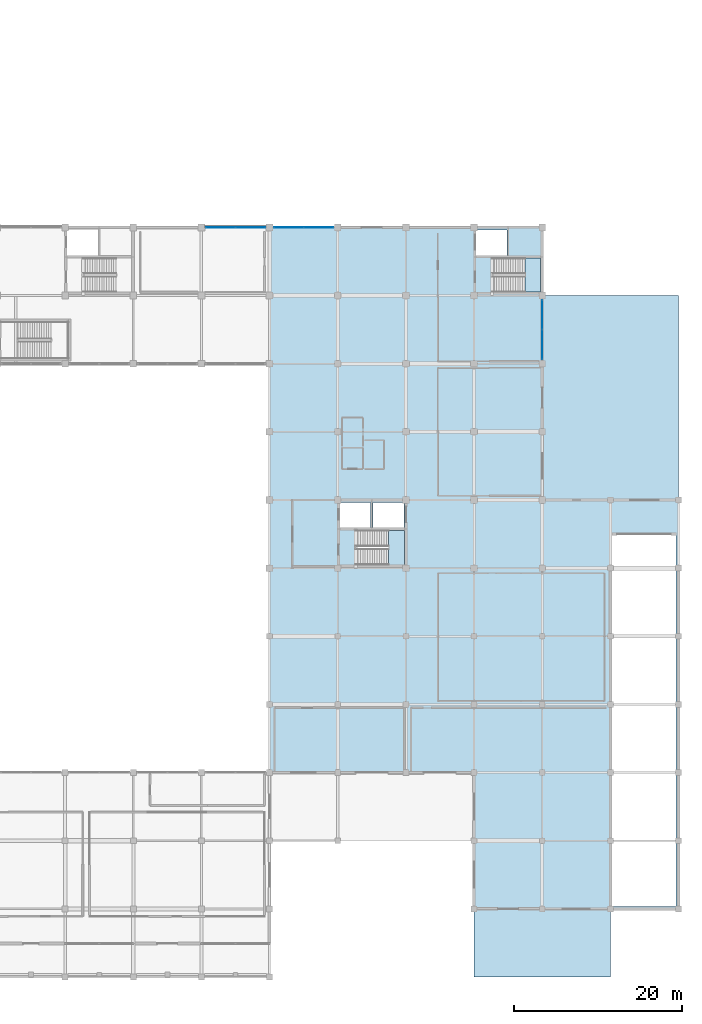
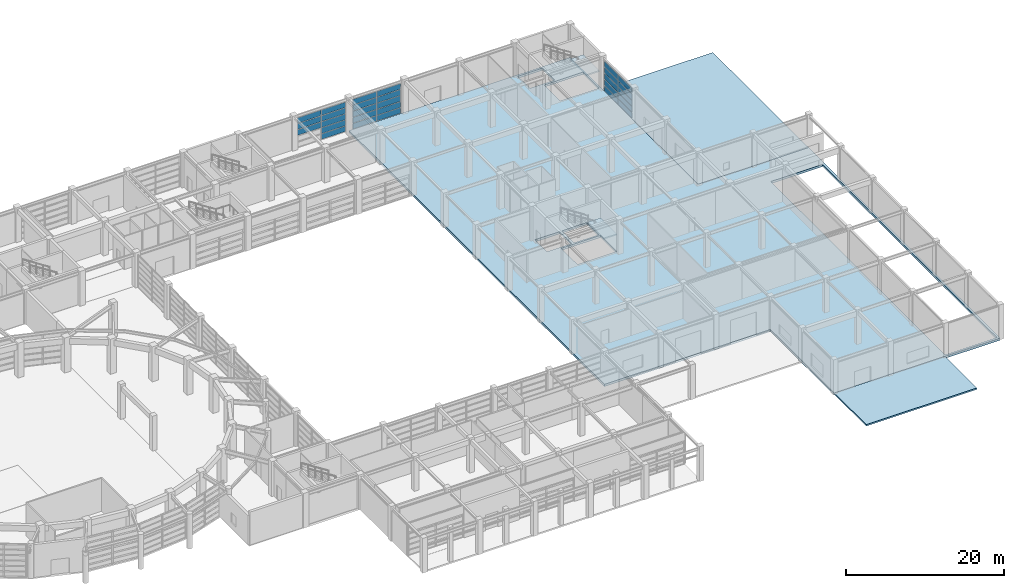
# One storey, part 34 of 52: 28 plates, 5 slabs, 5 elements without a shape of their own.
"""IFC4 building model written with IfcOpenShell, lengths in metres."""

from ifc_helpers import new_model, si_unit, direction, frame, origin, origin_2d, place, context, subcontext, project, spatial, polyline, rectangle, outline, extrude, material, layer, layer_set, type_object, element, aggregate, save


model = new_model("IFC4")

# Units and contexts
model_context = context("Model", 3, precision=1e-05, world=origin(), true_north=direction((0.0, 1.0)))
body_context = subcontext(model_context, "Body", "Model", "MODEL_VIEW")
ifc_project = project(units=[si_unit("LENGTHUNIT", "METRE"), si_unit("AREAUNIT", "SQUARE_METRE"), si_unit("VOLUMEUNIT", "CUBIC_METRE"), si_unit("PLANEANGLEUNIT", "RADIAN"), si_unit("MASSUNIT", "GRAM", prefix="KILO")], contexts=[model_context])

# Site, building, storey
site_placement = place(None, origin())
site = spatial("IfcSite", under=ifc_project, at=site_placement, CompositionType="ELEMENT")
building_placement = place(site_placement, origin())
building = spatial("IfcBuilding", under=site, at=building_placement, Name="Parian Resonance Hall", CompositionType="ELEMENT")
storey_placement = place(building_placement, origin())
storey = spatial("IfcBuildingStorey", under=building, at=storey_placement, Name="L00", CompositionType="ELEMENT", Elevation=0.0)

# Curtain wall, plates
ifc_material_1 = material(Name="Bronze-anodised aluminium frame", Category="aluminium")
curtain_wall_type_1 = type_object("IfcCurtainWallType", Name="CW-SYS-02", PredefinedType="NOTDEFINED", material=ifc_material_1)
curtain_wall_1_placement = place(storey_placement, origin())
curtain_wall_1 = element("IfcCurtainWall", 1, at=curtain_wall_1_placement, inside=storey, type_object=curtain_wall_type_1, Name="Curtain wall CW-L00-103", PredefinedType="NOTDEFINED")
ifc_material_2 = material(Name="Acoustic laminated double glazing", Category="glass")
ifc_layer_1 = layer(ifc_material_2, 0.031982421875)
ifc_layer_set_1 = layer_set([ifc_layer_1], Name="Acoustic laminated double glazing")
plate_type_1 = type_object("IfcPlateType", Name="CWP-IGU32", PredefinedType="CURTAIN_PANEL", material=ifc_layer_set_1)
plate_1_placement = place(storey_placement, frame((107.581298828125, 89.10009765625, 1.90234375), z_axis=(0.0, 0.0, 1.0), x_axis=(1.0, 0.0, 0.0)))
plate_1 = element("IfcPlate", 2, at=plate_1_placement, type_object=plate_type_1, Name="CW-02 panel 1.3", PredefinedType="CURTAIN_PANEL", context=body_context, shape_type="SweptSolid", body=[
    extrude(rectangle(XDim=3.472412109375, YDim=0.031982421875, at=origin_2d()), origin(), (0.0, 0.0, 1.0), 0.8701171875),
])
plate_2_placement = place(storey_placement, frame((107.581298828125, 89.10009765625, 2.83740234375), z_axis=(0.0, 0.0, 1.0), x_axis=(1.0, 0.0, 0.0)))
plate_2 = element("IfcPlate", 3, at=plate_2_placement, type_object=plate_type_1, Name="CW-02 panel 1.4", PredefinedType="CURTAIN_PANEL", context=body_context, shape_type="SweptSolid", body=[
    extrude(rectangle(XDim=3.472412109375, YDim=0.031982421875, at=origin_2d()), origin(), (0.0, 0.0, 1.0), 0.8701171875),
])
plate_3_placement = place(storey_placement, frame((107.581298828125, 89.10009765625, 3.7724609375), z_axis=(0.0, 0.0, 1.0), x_axis=(1.0, 0.0, 0.0)))
plate_3 = element("IfcPlate", 4, at=plate_3_placement, type_object=plate_type_1, Name="CW-02 panel 1.5", PredefinedType="CURTAIN_PANEL", context=body_context, shape_type="SweptSolid", body=[
    extrude(rectangle(XDim=3.472412109375, YDim=0.031982421875, at=origin_2d()), origin(), (0.0, 0.0, 1.0), 0.847412109375),
])
plate_4_placement = place(storey_placement, frame((111.11865234375, 89.10009765625, 0.05712890625), z_axis=(0.0, 0.0, 1.0), x_axis=(1.0, 0.0, 0.0)))
plate_4 = element("IfcPlate", 5, at=plate_4_placement, type_object=plate_type_1, Name="CW-02 panel 2.1", PredefinedType="CURTAIN_PANEL", context=body_context, shape_type="SweptSolid", body=[
    extrude(rectangle(XDim=3.472412109375, YDim=0.031982421875, at=origin_2d()), origin(), (0.0, 0.0, 1.0), 0.845458984375),
])
plate_5_placement = place(storey_placement, frame((111.11865234375, 89.10009765625, 0.967529296875), z_axis=(0.0, 0.0, 1.0), x_axis=(1.0, 0.0, 0.0)))
plate_5 = element("IfcPlate", 6, at=plate_5_placement, type_object=plate_type_1, Name="CW-02 panel 2.2", PredefinedType="CURTAIN_PANEL", context=body_context, shape_type="SweptSolid", body=[
    extrude(rectangle(XDim=3.472412109375, YDim=0.031982421875, at=origin_2d()), origin(), (0.0, 0.0, 1.0), 0.8701171875),
])
plate_6_placement = place(storey_placement, frame((111.11865234375, 89.10009765625, 1.90234375), z_axis=(0.0, 0.0, 1.0), x_axis=(1.0, 0.0, 0.0)))
plate_6 = element("IfcPlate", 7, at=plate_6_placement, type_object=plate_type_1, Name="CW-02 panel 2.3", PredefinedType="CURTAIN_PANEL", context=body_context, shape_type="SweptSolid", body=[
    extrude(rectangle(XDim=3.472412109375, YDim=0.031982421875, at=origin_2d()), origin(), (0.0, 0.0, 1.0), 0.8701171875),
])
plate_7_placement = place(storey_placement, frame((111.11865234375, 89.10009765625, 2.83740234375), z_axis=(0.0, 0.0, 1.0), x_axis=(1.0, 0.0, 0.0)))
plate_7 = element("IfcPlate", 8, at=plate_7_placement, type_object=plate_type_1, Name="CW-02 panel 2.4", PredefinedType="CURTAIN_PANEL", context=body_context, shape_type="SweptSolid", body=[
    extrude(rectangle(XDim=3.472412109375, YDim=0.031982421875, at=origin_2d()), origin(), (0.0, 0.0, 1.0), 0.8701171875),
])
plate_8_placement = place(storey_placement, frame((111.11865234375, 89.10009765625, 3.7724609375), z_axis=(0.0, 0.0, 1.0), x_axis=(1.0, 0.0, 0.0)))
plate_8 = element("IfcPlate", 9, at=plate_8_placement, type_object=plate_type_1, Name="CW-02 panel 2.5", PredefinedType="CURTAIN_PANEL", context=body_context, shape_type="SweptSolid", body=[
    extrude(rectangle(XDim=3.472412109375, YDim=0.031982421875, at=origin_2d()), origin(), (0.0, 0.0, 1.0), 0.847412109375),
])
aggregate(curtain_wall_1, [plate_1, plate_2, plate_3, plate_4, plate_5, plate_6, plate_7, plate_8])

ifc_material_3 = material(Name="Bronze-anodised aluminium frame", Category="aluminium")
curtain_wall_type_2 = type_object("IfcCurtainWallType", Name="CW-SYS-04", PredefinedType="NOTDEFINED", material=ifc_material_3)
curtain_wall_2_placement = place(storey_placement, origin())
curtain_wall_2 = element("IfcCurtainWall", 10, at=curtain_wall_2_placement, inside=storey, type_object=curtain_wall_type_2, Name="Curtain wall CW-L00-142", PredefinedType="NOTDEFINED")
plate_9_placement = place(storey_placement, frame((145.800048828125, 78.71630859375, 0.06689453125), z_axis=(0.0, 0.0, 1.0), x_axis=(0.0, -1.0, 0.0)))
plate_9 = element("IfcPlate", 11, at=plate_9_placement, type_object=plate_type_1, Name="CW-04 panel 1.1", PredefinedType="CURTAIN_PANEL", context=body_context, shape_type="SweptSolid", body=[
    extrude(rectangle(XDim=3.45751953125, YDim=0.031982421875, at=origin_2d()), origin(), (0.0, 0.0, 1.0), 0.848876953125),
])
plate_10_placement = place(storey_placement, frame((145.800048828125, 78.71630859375, 0.990966796875), z_axis=(0.0, 0.0, 1.0), x_axis=(0.0, -1.0, 0.0)))
plate_10 = element("IfcPlate", 12, at=plate_10_placement, type_object=plate_type_1, Name="CW-04 panel 1.2", PredefinedType="CURTAIN_PANEL", context=body_context, shape_type="SweptSolid", body=[
    extrude(rectangle(XDim=3.45751953125, YDim=0.031982421875, at=origin_2d()), origin(), (0.0, 0.0, 1.0), 0.87841796875),
])
plate_11_placement = place(storey_placement, frame((145.800048828125, 78.71630859375, 1.9443359375), z_axis=(0.0, 0.0, 1.0), x_axis=(0.0, -1.0, 0.0)))
plate_11 = element("IfcPlate", 13, at=plate_11_placement, type_object=plate_type_1, Name="CW-04 panel 1.3", PredefinedType="CURTAIN_PANEL", context=body_context, shape_type="SweptSolid", body=[
    extrude(rectangle(XDim=3.45751953125, YDim=0.031982421875, at=origin_2d()), origin(), (0.0, 0.0, 1.0), 0.87841796875),
])
plate_12_placement = place(storey_placement, frame((145.800048828125, 78.71630859375, 2.897705078125), z_axis=(0.0, 0.0, 1.0), x_axis=(0.0, -1.0, 0.0)))
plate_12 = element("IfcPlate", 14, at=plate_12_placement, type_object=plate_type_1, Name="CW-04 panel 1.4", PredefinedType="CURTAIN_PANEL", context=body_context, shape_type="SweptSolid", body=[
    extrude(rectangle(XDim=3.45751953125, YDim=0.031982421875, at=origin_2d()), origin(), (0.0, 0.0, 1.0), 0.87841796875),
])
plate_13_placement = place(storey_placement, frame((145.800048828125, 78.71630859375, 3.85107421875), z_axis=(0.0, 0.0, 1.0), x_axis=(0.0, -1.0, 0.0)))
plate_13 = element("IfcPlate", 15, at=plate_13_placement, type_object=plate_type_1, Name="CW-04 panel 1.5", PredefinedType="CURTAIN_PANEL", context=body_context, shape_type="SweptSolid", body=[
    extrude(rectangle(XDim=3.45751953125, YDim=0.031982421875, at=origin_2d()), origin(), (0.0, 0.0, 1.0), 0.850830078125),
])
plate_14_placement = place(storey_placement, frame((145.800048828125, 75.183837890625, 0.06689453125), z_axis=(0.0, 0.0, 1.0), x_axis=(0.0, -1.0, 0.0)))
plate_14 = element("IfcPlate", 16, at=plate_14_placement, type_object=plate_type_1, Name="CW-04 panel 2.1", PredefinedType="CURTAIN_PANEL", context=body_context, shape_type="SweptSolid", body=[
    extrude(rectangle(XDim=3.45751953125, YDim=0.031982421875, at=origin_2d()), origin(), (0.0, 0.0, 1.0), 0.848876953125),
])
plate_15_placement = place(storey_placement, frame((145.800048828125, 75.183837890625, 0.990966796875), z_axis=(0.0, 0.0, 1.0), x_axis=(0.0, -1.0, 0.0)))
plate_15 = element("IfcPlate", 17, at=plate_15_placement, type_object=plate_type_1, Name="CW-04 panel 2.2", PredefinedType="CURTAIN_PANEL", context=body_context, shape_type="SweptSolid", body=[
    extrude(rectangle(XDim=3.45751953125, YDim=0.031982421875, at=origin_2d()), origin(), (0.0, 0.0, 1.0), 0.87841796875),
])
plate_16_placement = place(storey_placement, frame((145.800048828125, 75.183837890625, 1.9443359375), z_axis=(0.0, 0.0, 1.0), x_axis=(0.0, -1.0, 0.0)))
plate_16 = element("IfcPlate", 18, at=plate_16_placement, type_object=plate_type_1, Name="CW-04 panel 2.3", PredefinedType="CURTAIN_PANEL", context=body_context, shape_type="SweptSolid", body=[
    extrude(rectangle(XDim=3.45751953125, YDim=0.031982421875, at=origin_2d()), origin(), (0.0, 0.0, 1.0), 0.87841796875),
])
plate_17_placement = place(storey_placement, frame((145.800048828125, 75.183837890625, 2.897705078125), z_axis=(0.0, 0.0, 1.0), x_axis=(0.0, -1.0, 0.0)))
plate_17 = element("IfcPlate", 19, at=plate_17_placement, type_object=plate_type_1, Name="CW-04 panel 2.4", PredefinedType="CURTAIN_PANEL", context=body_context, shape_type="SweptSolid", body=[
    extrude(rectangle(XDim=3.45751953125, YDim=0.031982421875, at=origin_2d()), origin(), (0.0, 0.0, 1.0), 0.87841796875),
])
plate_18_placement = place(storey_placement, frame((145.800048828125, 75.183837890625, 3.85107421875), z_axis=(0.0, 0.0, 1.0), x_axis=(0.0, -1.0, 0.0)))
plate_18 = element("IfcPlate", 20, at=plate_18_placement, type_object=plate_type_1, Name="CW-04 panel 2.5", PredefinedType="CURTAIN_PANEL", context=body_context, shape_type="SweptSolid", body=[
    extrude(rectangle(XDim=3.45751953125, YDim=0.031982421875, at=origin_2d()), origin(), (0.0, 0.0, 1.0), 0.850830078125),
])
aggregate(curtain_wall_2, [plate_9, plate_10, plate_11, plate_12, plate_13, plate_14, plate_15, plate_16, plate_17, plate_18])

ifc_material_4 = material(Name="Bronze-anodised aluminium frame", Category="aluminium")
curtain_wall_type_3 = type_object("IfcCurtainWallType", Name="CW-SYS-03", PredefinedType="NOTDEFINED", material=ifc_material_4)
curtain_wall_3_placement = place(storey_placement, origin())
curtain_wall_3 = element("IfcCurtainWall", 21, at=curtain_wall_3_placement, inside=storey, type_object=curtain_wall_type_3, Name="Curtain wall CW-L00-143", PredefinedType="NOTDEFINED")
ifc_material_5 = material(Name="Acoustic laminated double glazing", Category="glass")
ifc_layer_2 = layer(ifc_material_5, 0.0419921875)
ifc_layer_set_2 = layer_set([ifc_layer_2], Name="Acoustic laminated double glazing")
plate_type_2 = type_object("IfcPlateType", Name="CWP-IGU42", PredefinedType="CURTAIN_PANEL", material=ifc_layer_set_2)
plate_19_placement = place(storey_placement, frame((115.68115234375, 89.10009765625, 0.05712890625), z_axis=(0.0, 0.0, 1.0), x_axis=(1.0, 0.0, 0.0)))
plate_19 = element("IfcPlate", 22, at=plate_19_placement, type_object=plate_type_2, Name="CW-03 panel 1.1", PredefinedType="CURTAIN_PANEL", context=body_context, shape_type="SweptSolid", body=[
    extrude(rectangle(XDim=3.472412109375, YDim=0.0419921875, at=origin_2d()), origin(), (0.0, 0.0, 1.0), 0.851806640625),
])
plate_20_placement = place(storey_placement, frame((115.68115234375, 89.10009765625, 0.973876953125), z_axis=(0.0, 0.0, 1.0), x_axis=(1.0, 0.0, 0.0)))
plate_20 = element("IfcPlate", 23, at=plate_20_placement, type_object=plate_type_2, Name="CW-03 panel 1.2", PredefinedType="CURTAIN_PANEL", context=body_context, shape_type="SweptSolid", body=[
    extrude(rectangle(XDim=3.472412109375, YDim=0.0419921875, at=origin_2d()), origin(), (0.0, 0.0, 1.0), 0.87646484375),
])
plate_21_placement = place(storey_placement, frame((115.68115234375, 89.10009765625, 1.915283203125), z_axis=(0.0, 0.0, 1.0), x_axis=(1.0, 0.0, 0.0)))
plate_21 = element("IfcPlate", 24, at=plate_21_placement, type_object=plate_type_2, Name="CW-03 panel 1.3", PredefinedType="CURTAIN_PANEL", context=body_context, shape_type="SweptSolid", body=[
    extrude(rectangle(XDim=3.472412109375, YDim=0.0419921875, at=origin_2d()), origin(), (0.0, 0.0, 1.0), 0.87646484375),
])
plate_22_placement = place(storey_placement, frame((115.68115234375, 89.10009765625, 2.856689453125), z_axis=(0.0, 0.0, 1.0), x_axis=(1.0, 0.0, 0.0)))
plate_22 = element("IfcPlate", 25, at=plate_22_placement, type_object=plate_type_2, Name="CW-03 panel 1.4", PredefinedType="CURTAIN_PANEL", context=body_context, shape_type="SweptSolid", body=[
    extrude(rectangle(XDim=3.472412109375, YDim=0.0419921875, at=origin_2d()), origin(), (0.0, 0.0, 1.0), 0.87646484375),
])
plate_23_placement = place(storey_placement, frame((115.68115234375, 89.10009765625, 3.798095703125), z_axis=(0.0, 0.0, 1.0), x_axis=(1.0, 0.0, 0.0)))
plate_23 = element("IfcPlate", 26, at=plate_23_placement, type_object=plate_type_2, Name="CW-03 panel 1.5", PredefinedType="CURTAIN_PANEL", context=body_context, shape_type="SweptSolid", body=[
    extrude(rectangle(XDim=3.472412109375, YDim=0.0419921875, at=origin_2d()), origin(), (0.0, 0.0, 1.0), 0.85400390625),
])
plate_24_placement = place(storey_placement, frame((119.21875, 89.10009765625, 0.05712890625), z_axis=(0.0, 0.0, 1.0), x_axis=(1.0, 0.0, 0.0)))
plate_24 = element("IfcPlate", 27, at=plate_24_placement, type_object=plate_type_2, Name="CW-03 panel 2.1", PredefinedType="CURTAIN_PANEL", context=body_context, shape_type="SweptSolid", body=[
    extrude(rectangle(XDim=3.472412109375, YDim=0.0419921875, at=origin_2d()), origin(), (0.0, 0.0, 1.0), 0.851806640625),
])
plate_25_placement = place(storey_placement, frame((119.21875, 89.10009765625, 0.973876953125), z_axis=(0.0, 0.0, 1.0), x_axis=(1.0, 0.0, 0.0)))
plate_25 = element("IfcPlate", 28, at=plate_25_placement, type_object=plate_type_2, Name="CW-03 panel 2.2", PredefinedType="CURTAIN_PANEL", context=body_context, shape_type="SweptSolid", body=[
    extrude(rectangle(XDim=3.472412109375, YDim=0.0419921875, at=origin_2d()), origin(), (0.0, 0.0, 1.0), 0.87646484375),
])
plate_26_placement = place(storey_placement, frame((119.21875, 89.10009765625, 1.915283203125), z_axis=(0.0, 0.0, 1.0), x_axis=(1.0, 0.0, 0.0)))
plate_26 = element("IfcPlate", 29, at=plate_26_placement, type_object=plate_type_2, Name="CW-03 panel 2.3", PredefinedType="CURTAIN_PANEL", context=body_context, shape_type="SweptSolid", body=[
    extrude(rectangle(XDim=3.472412109375, YDim=0.0419921875, at=origin_2d()), origin(), (0.0, 0.0, 1.0), 0.87646484375),
])
plate_27_placement = place(storey_placement, frame((119.21875, 89.10009765625, 2.856689453125), z_axis=(0.0, 0.0, 1.0), x_axis=(1.0, 0.0, 0.0)))
plate_27 = element("IfcPlate", 30, at=plate_27_placement, type_object=plate_type_2, Name="CW-03 panel 2.4", PredefinedType="CURTAIN_PANEL", context=body_context, shape_type="SweptSolid", body=[
    extrude(rectangle(XDim=3.472412109375, YDim=0.0419921875, at=origin_2d()), origin(), (0.0, 0.0, 1.0), 0.87646484375),
])
plate_28_placement = place(storey_placement, frame((119.21875, 89.10009765625, 3.798095703125), z_axis=(0.0, 0.0, 1.0), x_axis=(1.0, 0.0, 0.0)))
plate_28 = element("IfcPlate", 31, at=plate_28_placement, type_object=plate_type_2, Name="CW-03 panel 2.5", PredefinedType="CURTAIN_PANEL", context=body_context, shape_type="SweptSolid", body=[
    extrude(rectangle(XDim=3.472412109375, YDim=0.0419921875, at=origin_2d()), origin(), (0.0, 0.0, 1.0), 0.85400390625),
])
aggregate(curtain_wall_3, [plate_19, plate_20, plate_21, plate_22, plate_23, plate_24, plate_25, plate_26, plate_27, plate_28])

# Slabs
ifc_material_6 = material(Name="Concrete C35/45", Category="concrete")
ifc_layer_3 = layer(ifc_material_6, 0.22998046875)
ifc_layer_set_3 = layer_set([ifc_layer_3], Name="Concrete C35/45")
slab_type_1 = type_object("IfcSlabType", Name="SLB-ARC-230", PredefinedType="FLOOR", material=ifc_layer_set_3)
slab_1_placement = place(storey_placement, frame((0.0, 0.0, -0.22998046875)))
element("IfcSlab", 32, at=slab_1_placement, inside=storey, type_object=slab_type_1, Name="East service driveway apron slab", PredefinedType="FLOOR", context=body_context, shape_type="SweptSolid", body=[
    extrude(outline(polyline([(145.800048828125, 56.699951171875), (162.0, 56.699951171875), (162.0, 81.0), (145.800048828125, 81.0), (145.800048828125, 56.699951171875)])), origin(), (0.0, 0.0, 1.0), 0.22998046875),
])
slab_2_placement = place(storey_placement, frame((0.0, 0.0, -0.22998046875)))
element("IfcSlab", 33, at=slab_2_placement, inside=storey, type_object=slab_type_1, Name="South acoustic loading dock truck apron slab", PredefinedType="FLOOR", context=body_context, shape_type="SweptSolid", body=[
    extrude(outline(polyline([(137.699951171875, 0.0), (153.89990234375, 0.0), (153.89990234375, 8.10009765625), (137.699951171875, 8.10009765625), (137.699951171875, 0.0)])), origin(), (0.0, 0.0, 1.0), 0.22998046875),
])
ifc_material_7 = material(Name="Concrete C35/45", Category="concrete")
ifc_layer_4 = layer(ifc_material_7, 0.340087890625)
ifc_layer_set_4 = layer_set([ifc_layer_4], Name="Concrete C35/45")
slab_type_2 = type_object("IfcSlabType", Name="SLB-FLR-340", PredefinedType="FLOOR", material=ifc_layer_set_4)
slab_3_placement = place(storey_placement, frame((0.0, 0.0, -0.340087890625)))
element("IfcSlab", 34, at=slab_3_placement, inside=storey, type_object=slab_type_2, Name="Stage house and loading dock suspended slab", PredefinedType="FLOOR", context=body_context, shape_type="SweptSolid", body=[
    extrude(outline(polyline([(162.0, 56.699951171875), (145.800048828125, 56.699951171875), (145.800048828125, 89.10009765625), (113.39990234375, 89.10009765625), (113.39990234375, 24.300048828125), (137.699951171875, 24.300048828125), (137.699951171875, 8.10009765625), (162.0, 8.10009765625), (162.0, 56.699951171875)]), holes=[polyline([(161.699951171875, 52.60009765625), (161.699951171875, 8.39990234375), (154.10009765625, 8.39990234375), (154.10009765625, 52.60009765625), (161.699951171875, 52.60009765625)]), polyline([(129.4599609375, 49.0), (123.695068359375, 49.0), (123.695068359375, 53.10009765625), (129.4599609375, 53.10009765625), (129.4599609375, 49.0)]), polyline([(125.39990234375, 53.35009765625), (121.739990234375, 53.35009765625), (121.739990234375, 56.39990234375), (125.39990234375, 56.39990234375), (125.39990234375, 53.35009765625)]), polyline([(129.360107421875, 56.39990234375), (129.360107421875, 53.35009765625), (125.699951171875, 53.35009765625), (125.699951171875, 56.39990234375), (129.360107421875, 56.39990234375)]), polyline([(145.6201171875, 81.39990234375), (139.875, 81.39990234375), (139.875, 85.4599609375), (145.6201171875, 85.4599609375), (145.6201171875, 81.39990234375)]), polyline([(141.60009765625, 85.75), (137.93994140625, 85.75), (137.93994140625, 88.800048828125), (141.60009765625, 88.800048828125), (141.60009765625, 85.75)])]), origin(), (0.0, 0.0, 1.0), 0.340087890625),
])

# Stair, slab
ifc_material_8 = material(Name="Concrete C40/50", Category="concrete")
stair_type_1 = type_object("IfcStairType", Name="STAIR-CORE-1850", PredefinedType="HALF_TURN_STAIR", material=ifc_material_8)
stair_1_placement = place(storey_placement, origin())
stair_1 = element("IfcStair", 35, at=stair_1_placement, inside=storey, type_object=stair_type_1, Name="L00 ST-02", PredefinedType="HALF_TURN_STAIR")
ifc_material_9 = material(Name="Concrete C40/50", Category="concrete")
ifc_layer_5 = layer(ifc_material_9, 0.199951171875)
ifc_layer_set_5 = layer_set([ifc_layer_5], Name="Concrete C40/50")
slab_type_3 = type_object("IfcSlabType", Name="SLB-LANDING-200", PredefinedType="LANDING", material=ifc_layer_set_5)
slab_4_placement = place(storey_placement, frame((0.0, 0.0, 2.5)))
slab_4 = element("IfcSlab", 36, at=slab_4_placement, type_object=slab_type_3, Name="ST-02 landing 1", PredefinedType="LANDING", context=body_context, shape_type="SweptSolid", body=[
    extrude(outline(polyline([(127.56005859375, 49.0), (129.4599609375, 49.0), (129.4599609375, 53.10009765625), (127.56005859375, 53.10009765625), (127.56005859375, 49.0)])), origin(), (0.0, 0.0, 1.0), 0.199951171875),
])
aggregate(stair_1, [slab_4])

ifc_material_10 = material(Name="Concrete C40/50", Category="concrete")
stair_type_2 = type_object("IfcStairType", Name="STAIR-CORE-1800", PredefinedType="HALF_TURN_STAIR", material=ifc_material_10)
stair_2_placement = place(storey_placement, origin())
stair_2 = element("IfcStair", 37, at=stair_2_placement, inside=storey, type_object=stair_type_2, Name="L00 ST-06", PredefinedType="HALF_TURN_STAIR")
slab_5_placement = place(storey_placement, frame((0.0, 0.0, 2.5)))
slab_5 = element("IfcSlab", 38, at=slab_5_placement, type_object=slab_type_3, Name="ST-06 landing 1", PredefinedType="LANDING", context=body_context, shape_type="SweptSolid", body=[
    extrude(outline(polyline([(143.739990234375, 81.39990234375), (145.6201171875, 81.39990234375), (145.6201171875, 85.4599609375), (143.739990234375, 85.4599609375), (143.739990234375, 81.39990234375)])), origin(), (0.0, 0.0, 1.0), 0.199951171875),
])
aggregate(stair_2, [slab_5])

save(model, "model.ifc")
